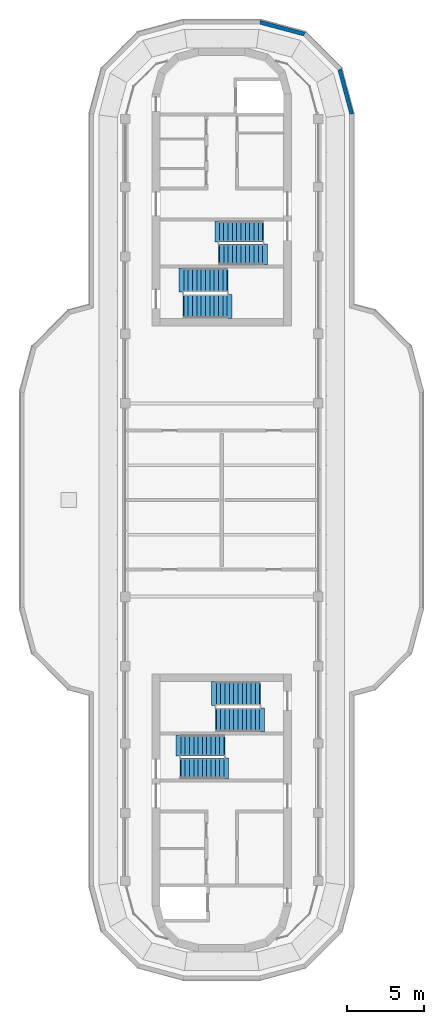
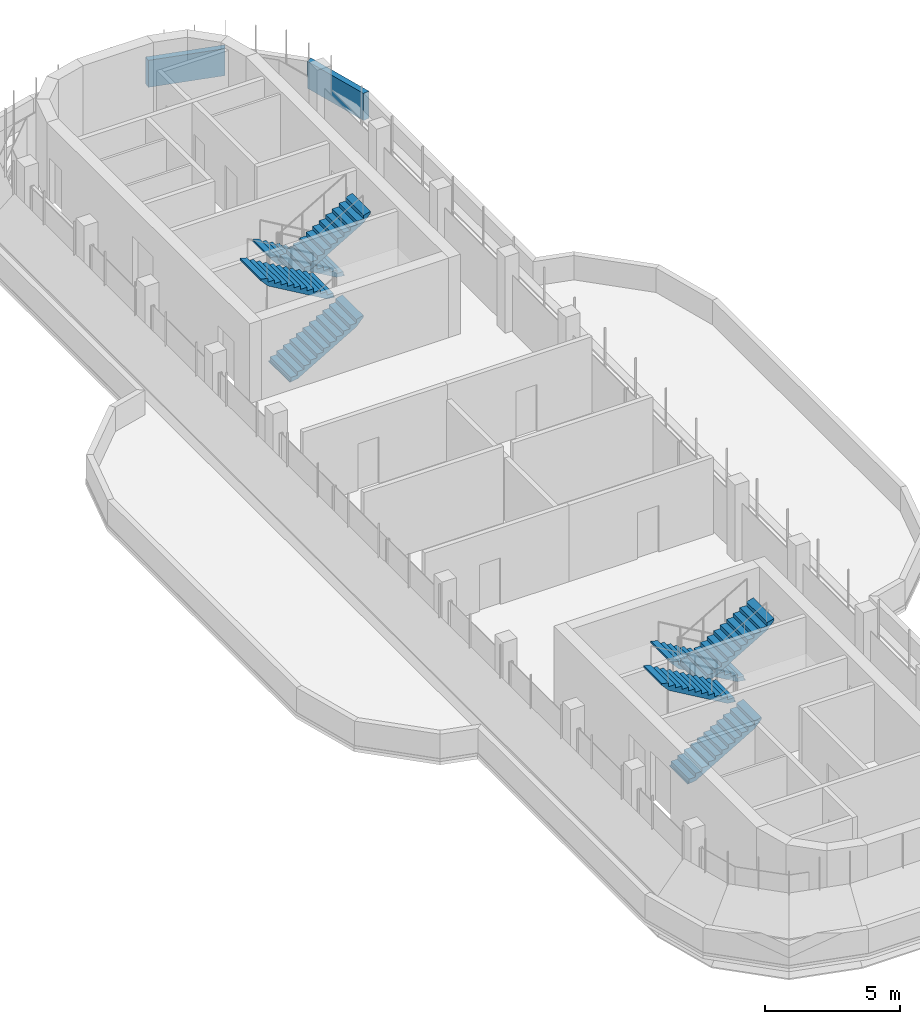
# One storey, part 10 of 12: 8 stair flights, 2 walls, 4 elements without a shape of their own.
"""IFC4 building model written with IfcOpenShell, lengths in metres."""

from ifc_helpers import new_model, si_unit, direction, frame, origin, place, context, subcontext, project, spatial, polyline, outline, extrude, material, layer, layer_set, type_object, element, aggregate, save


model = new_model("IFC4")

# Units and contexts
model_context = context("Model", 3, precision=1e-05, world=origin(), true_north=direction((0.0, 1.0)))
body_context = subcontext(model_context, "Body", "Model", "MODEL_VIEW")
ifc_project = project(units=[si_unit("LENGTHUNIT", "METRE"), si_unit("AREAUNIT", "SQUARE_METRE"), si_unit("VOLUMEUNIT", "CUBIC_METRE"), si_unit("PLANEANGLEUNIT", "RADIAN"), si_unit("MASSUNIT", "GRAM", prefix="KILO")], contexts=[model_context])

# Site, building, storey
site_placement = place(None, origin())
site = spatial("IfcSite", under=ifc_project, at=site_placement, CompositionType="ELEMENT")
building_placement = place(site_placement, origin())
building = spatial("IfcBuilding", under=site, at=building_placement, Name="Zarbagh Exchange Tower", CompositionType="ELEMENT")
storey_placement = place(building_placement, frame((0.0, 0.0, 306.0)))
storey = spatial("IfcBuildingStorey", under=building, at=storey_placement, Name="L75", CompositionType="ELEMENT", Elevation=306.0)

# Walls
ifc_material = material(Name="Concrete C40/50", Category="concrete")
ifc_layer = layer(ifc_material, 0.25)
ifc_layer_set = layer_set([ifc_layer], Name="Parapet wall, concrete C40/50")
wall_type = type_object("IfcWallType", Name="Parapet wall, concrete C40/50", PredefinedType="PARAPET", material=ifc_layer_set)
wall_1_placement = place(storey_placement, origin())
element("IfcWall", 1, at=wall_1_placement, inside=storey, type_object=wall_type, Name="roof parapet", PredefinedType="PARAPET", context=body_context, shape_type="SweptSolid", body=[
    extrude(outline(polyline([(2.484375, 31.030029296875), (5.42138671875, 30.242919921875), (5.2919921875, 30.018798828125), (2.451416015625, 30.780029296875), (2.484375, 31.030029296875)])), origin(), (0.0, 0.0, 1.0), 1.219970703125),
])
wall_2_placement = place(storey_placement, origin())
element("IfcWall", 2, at=wall_2_placement, inside=storey, type_object=wall_type, Name="roof parapet", PredefinedType="PARAPET", context=body_context, shape_type="SweptSolid", body=[
    extrude(outline(polyline([(7.742919921875, 27.92138671875), (8.530029296875, 24.984375), (8.280029296875, 24.951416015625), (7.518798828125, 27.7919921875), (7.742919921875, 27.92138671875)])), origin(), (0.0, 0.0, 1.0), 1.219970703125),
])

# Stair, stair flights
stair_type = type_object("IfcStairType", Name="Exit stair two-flight half-turn", PredefinedType="HALF_TURN_STAIR", material=ifc_material)
stair_1_placement = place(storey_placement, origin())
stair_1 = element("IfcStair", 3, at=stair_1_placement, inside=storey, type_object=stair_type, Name="exit stair ST1", PredefinedType="HALF_TURN_STAIR")
stair_flight_type_1 = type_object("IfcStairFlightType", Name="Stair flight 1350 mm", PredefinedType="STRAIGHT", material=ifc_material)
stair_flight_1_placement = place(storey_placement, frame((2.64990234375, 17.375, 0.0), z_axis=(0.0, 0.0, 1.0), x_axis=(-1.0, 0.0, 0.0)))
stair_flight_1 = element("IfcStairFlight", 4, at=stair_flight_1_placement, type_object=stair_flight_type_1, Name="ST1 flight 1", NumberOfRisers=11, NumberOfTreads=10, PredefinedType="STRAIGHT", RiserHeight=0.163636364, TreadLength=0.28, context=body_context, shape_type="SweptSolid", body=[
    extrude(outline(polyline([(-0.050048828125, -0.050048828125), (-0.050048828125, 0.0), (0.0, 0.0), (0.0, 0.16357421875), (0.280029296875, 0.16357421875), (0.280029296875, 0.327392578125), (0.56005859375, 0.327392578125), (0.56005859375, 0.490966796875), (0.840087890625, 0.490966796875), (0.840087890625, 0.654541015625), (1.1201171875, 0.654541015625), (1.1201171875, 0.818115234375), (1.39990234375, 0.818115234375), (1.39990234375, 0.98193359375), (1.679931640625, 0.98193359375), (1.679931640625, 1.1455078125), (1.9599609375, 1.1455078125), (1.9599609375, 1.30908203125), (2.239990234375, 1.30908203125), (2.239990234375, 1.47265625), (2.52001953125, 1.47265625), (2.52001953125, 1.636474609375), (2.800048828125, 1.636474609375), (2.800048828125, 1.800048828125), (3.10009765625, 1.8798828125), (3.10009765625, 1.800048828125), (2.800048828125, 1.462646484375), (0.297119140625, 0.0), (-0.050048828125, -0.050048828125)])), frame((0.0, 0.675048828125, 0.0), z_axis=(0.0, -1.0, 0.0), x_axis=(1.0, 0.0, 0.0)), (0.0, 0.0, 1.0), 1.35009765625),
])
stair_flight_2_placement = place(storey_placement, frame((-0.14990234375, 15.875, 1.800048828125), z_axis=(0.0, 0.0, 1.0), x_axis=(1.0, 0.0, 0.0)))
stair_flight_2 = element("IfcStairFlight", 5, at=stair_flight_2_placement, type_object=stair_flight_type_1, Name="ST1 flight 2", NumberOfRisers=11, NumberOfTreads=10, PredefinedType="STRAIGHT", RiserHeight=0.163636364, TreadLength=0.28, context=body_context, shape_type="SweptSolid", body=[
    extrude(outline(polyline([(-0.050048828125, -0.050048828125), (-0.050048828125, 0.0), (0.0, 0.0), (0.0, 0.16357421875), (0.280029296875, 0.16357421875), (0.280029296875, 0.327392578125), (0.56005859375, 0.327392578125), (0.56005859375, 0.490966796875), (0.840087890625, 0.490966796875), (0.840087890625, 0.654541015625), (1.1201171875, 0.654541015625), (1.1201171875, 0.818115234375), (1.39990234375, 0.818115234375), (1.39990234375, 0.98193359375), (1.679931640625, 0.98193359375), (1.679931640625, 1.1455078125), (1.9599609375, 1.1455078125), (1.9599609375, 1.30908203125), (2.239990234375, 1.30908203125), (2.239990234375, 1.47265625), (2.52001953125, 1.47265625), (2.52001953125, 1.636474609375), (2.800048828125, 1.636474609375), (2.800048828125, 1.800048828125), (3.10009765625, 1.8798828125), (3.10009765625, 1.800048828125), (2.800048828125, 1.462646484375), (0.297119140625, 0.0), (-0.050048828125, -0.050048828125)])), frame((0.0, 0.675048828125, 0.0), z_axis=(0.0, -1.0, 0.0), x_axis=(1.0, 0.0, 0.0)), (0.0, 0.0, 1.0), 1.35009765625),
])
aggregate(stair_1, [stair_flight_1, stair_flight_2])

stair_2_placement = place(storey_placement, origin())
stair_2 = element("IfcStair", 6, at=stair_2_placement, inside=storey, type_object=stair_type, Name="exit stair ST3", PredefinedType="HALF_TURN_STAIR")
stair_flight_3_placement = place(storey_placement, frame((-2.64990234375, -17.375, 0.0), z_axis=(0.0, 0.0, 1.0), x_axis=(1.0, 0.0, 0.0)))
stair_flight_3 = element("IfcStairFlight", 7, at=stair_flight_3_placement, type_object=stair_flight_type_1, Name="ST3 flight 1", NumberOfRisers=11, NumberOfTreads=10, PredefinedType="STRAIGHT", RiserHeight=0.163636364, TreadLength=0.28, context=body_context, shape_type="SweptSolid", body=[
    extrude(outline(polyline([(-0.050048828125, -0.050048828125), (-0.050048828125, 0.0), (0.0, 0.0), (0.0, 0.16357421875), (0.280029296875, 0.16357421875), (0.280029296875, 0.327392578125), (0.56005859375, 0.327392578125), (0.56005859375, 0.490966796875), (0.840087890625, 0.490966796875), (0.840087890625, 0.654541015625), (1.1201171875, 0.654541015625), (1.1201171875, 0.818115234375), (1.39990234375, 0.818115234375), (1.39990234375, 0.98193359375), (1.679931640625, 0.98193359375), (1.679931640625, 1.1455078125), (1.9599609375, 1.1455078125), (1.9599609375, 1.30908203125), (2.239990234375, 1.30908203125), (2.239990234375, 1.47265625), (2.52001953125, 1.47265625), (2.52001953125, 1.636474609375), (2.800048828125, 1.636474609375), (2.800048828125, 1.800048828125), (3.10009765625, 1.8798828125), (3.10009765625, 1.800048828125), (2.800048828125, 1.462646484375), (0.297119140625, 0.0), (-0.050048828125, -0.050048828125)])), frame((0.0, 0.675048828125, 0.0), z_axis=(0.0, -1.0, 0.0), x_axis=(1.0, 0.0, 0.0)), (0.0, 0.0, 1.0), 1.35009765625),
])
stair_flight_4_placement = place(storey_placement, frame((0.14990234375, -15.875, 1.800048828125), z_axis=(0.0, 0.0, 1.0), x_axis=(-1.0, 0.0, 0.0)))
stair_flight_4 = element("IfcStairFlight", 8, at=stair_flight_4_placement, type_object=stair_flight_type_1, Name="ST3 flight 2", NumberOfRisers=11, NumberOfTreads=10, PredefinedType="STRAIGHT", RiserHeight=0.163636364, TreadLength=0.28, context=body_context, shape_type="SweptSolid", body=[
    extrude(outline(polyline([(-0.050048828125, -0.050048828125), (-0.050048828125, 0.0), (0.0, 0.0), (0.0, 0.16357421875), (0.280029296875, 0.16357421875), (0.280029296875, 0.327392578125), (0.56005859375, 0.327392578125), (0.56005859375, 0.490966796875), (0.840087890625, 0.490966796875), (0.840087890625, 0.654541015625), (1.1201171875, 0.654541015625), (1.1201171875, 0.818115234375), (1.39990234375, 0.818115234375), (1.39990234375, 0.98193359375), (1.679931640625, 0.98193359375), (1.679931640625, 1.1455078125), (1.9599609375, 1.1455078125), (1.9599609375, 1.30908203125), (2.239990234375, 1.30908203125), (2.239990234375, 1.47265625), (2.52001953125, 1.47265625), (2.52001953125, 1.636474609375), (2.800048828125, 1.636474609375), (2.800048828125, 1.800048828125), (3.10009765625, 1.8798828125), (3.10009765625, 1.800048828125), (2.800048828125, 1.462646484375), (0.297119140625, 0.0), (-0.050048828125, -0.050048828125)])), frame((0.0, 0.675048828125, 0.0), z_axis=(0.0, -1.0, 0.0), x_axis=(1.0, 0.0, 0.0)), (0.0, 0.0, 1.0), 1.35009765625),
])
aggregate(stair_2, [stair_flight_3, stair_flight_4])

stair_3_placement = place(storey_placement, origin())
stair_3 = element("IfcStair", 9, at=stair_3_placement, inside=storey, type_object=stair_type, Name="exit stair ST2", PredefinedType="HALF_TURN_STAIR")
stair_flight_type_2 = type_object("IfcStairFlightType", Name="Stair flight 1550 mm", PredefinedType="STRAIGHT", material=ifc_material)
stair_flight_5_placement = place(storey_placement, frame((-2.449951171875, 12.52490234375, 0.0), z_axis=(0.0, 0.0, 1.0), x_axis=(1.0, 0.0, 0.0)))
stair_flight_5 = element("IfcStairFlight", 10, at=stair_flight_5_placement, type_object=stair_flight_type_2, Name="ST2 flight 1", NumberOfRisers=11, NumberOfTreads=10, PredefinedType="STRAIGHT", RiserHeight=0.163636364, TreadLength=0.28, context=body_context, shape_type="SweptSolid", body=[
    extrude(outline(polyline([(-0.050048828125, -0.050048828125), (-0.050048828125, 0.0), (0.0, 0.0), (0.0, 0.16357421875), (0.280029296875, 0.16357421875), (0.280029296875, 0.327392578125), (0.56005859375, 0.327392578125), (0.56005859375, 0.490966796875), (0.840087890625, 0.490966796875), (0.840087890625, 0.654541015625), (1.1201171875, 0.654541015625), (1.1201171875, 0.818115234375), (1.39990234375, 0.818115234375), (1.39990234375, 0.98193359375), (1.679931640625, 0.98193359375), (1.679931640625, 1.1455078125), (1.9599609375, 1.1455078125), (1.9599609375, 1.30908203125), (2.239990234375, 1.30908203125), (2.239990234375, 1.47265625), (2.52001953125, 1.47265625), (2.52001953125, 1.636474609375), (2.800048828125, 1.636474609375), (2.800048828125, 1.800048828125), (3.10009765625, 1.8798828125), (3.10009765625, 1.800048828125), (2.800048828125, 1.462646484375), (0.297119140625, 0.0), (-0.050048828125, -0.050048828125)])), frame((0.0, 0.77490234375, 0.0), z_axis=(0.0, -1.0, 0.0), x_axis=(1.0, 0.0, 0.0)), (0.0, 0.0, 1.0), 1.550048828125),
])
stair_flight_6_placement = place(storey_placement, frame((0.35009765625, 14.22509765625, 1.800048828125), z_axis=(0.0, 0.0, 1.0), x_axis=(-1.0, 0.0, 0.0)))
stair_flight_6 = element("IfcStairFlight", 11, at=stair_flight_6_placement, type_object=stair_flight_type_2, Name="ST2 flight 2", NumberOfRisers=11, NumberOfTreads=10, PredefinedType="STRAIGHT", RiserHeight=0.163636364, TreadLength=0.28, context=body_context, shape_type="SweptSolid", body=[
    extrude(outline(polyline([(-0.050048828125, -0.050048828125), (-0.050048828125, 0.0), (0.0, 0.0), (0.0, 0.16357421875), (0.280029296875, 0.16357421875), (0.280029296875, 0.327392578125), (0.56005859375, 0.327392578125), (0.56005859375, 0.490966796875), (0.840087890625, 0.490966796875), (0.840087890625, 0.654541015625), (1.1201171875, 0.654541015625), (1.1201171875, 0.818115234375), (1.39990234375, 0.818115234375), (1.39990234375, 0.98193359375), (1.679931640625, 0.98193359375), (1.679931640625, 1.1455078125), (1.9599609375, 1.1455078125), (1.9599609375, 1.30908203125), (2.239990234375, 1.30908203125), (2.239990234375, 1.47265625), (2.52001953125, 1.47265625), (2.52001953125, 1.636474609375), (2.800048828125, 1.636474609375), (2.800048828125, 1.800048828125), (3.10009765625, 1.8798828125), (3.10009765625, 1.800048828125), (2.800048828125, 1.462646484375), (0.297119140625, 0.0), (-0.050048828125, -0.050048828125)])), frame((0.0, 0.77490234375, 0.0), z_axis=(0.0, -1.0, 0.0), x_axis=(1.0, 0.0, 0.0)), (0.0, 0.0, 1.0), 1.550048828125),
])
aggregate(stair_3, [stair_flight_5, stair_flight_6])

stair_4_placement = place(storey_placement, origin())
stair_4 = element("IfcStair", 12, at=stair_4_placement, inside=storey, type_object=stair_type, Name="exit stair ST4", PredefinedType="HALF_TURN_STAIR")
stair_flight_7_placement = place(storey_placement, frame((2.449951171875, -12.52490234375, 0.0), z_axis=(0.0, 0.0, 1.0), x_axis=(-1.0, 0.0, 0.0)))
stair_flight_7 = element("IfcStairFlight", 13, at=stair_flight_7_placement, type_object=stair_flight_type_2, Name="ST4 flight 1", NumberOfRisers=11, NumberOfTreads=10, PredefinedType="STRAIGHT", RiserHeight=0.163636364, TreadLength=0.28, context=body_context, shape_type="SweptSolid", body=[
    extrude(outline(polyline([(-0.050048828125, -0.050048828125), (-0.050048828125, 0.0), (0.0, 0.0), (0.0, 0.16357421875), (0.280029296875, 0.16357421875), (0.280029296875, 0.327392578125), (0.56005859375, 0.327392578125), (0.56005859375, 0.490966796875), (0.840087890625, 0.490966796875), (0.840087890625, 0.654541015625), (1.1201171875, 0.654541015625), (1.1201171875, 0.818115234375), (1.39990234375, 0.818115234375), (1.39990234375, 0.98193359375), (1.679931640625, 0.98193359375), (1.679931640625, 1.1455078125), (1.9599609375, 1.1455078125), (1.9599609375, 1.30908203125), (2.239990234375, 1.30908203125), (2.239990234375, 1.47265625), (2.52001953125, 1.47265625), (2.52001953125, 1.636474609375), (2.800048828125, 1.636474609375), (2.800048828125, 1.800048828125), (3.10009765625, 1.8798828125), (3.10009765625, 1.800048828125), (2.800048828125, 1.462646484375), (0.297119140625, 0.0), (-0.050048828125, -0.050048828125)])), frame((0.0, 0.77490234375, 0.0), z_axis=(0.0, -1.0, 0.0), x_axis=(1.0, 0.0, 0.0)), (0.0, 0.0, 1.0), 1.550048828125),
])
stair_flight_8_placement = place(storey_placement, frame((-0.35009765625, -14.22509765625, 1.800048828125), z_axis=(0.0, 0.0, 1.0), x_axis=(1.0, 0.0, 0.0)))
stair_flight_8 = element("IfcStairFlight", 14, at=stair_flight_8_placement, type_object=stair_flight_type_2, Name="ST4 flight 2", NumberOfRisers=11, NumberOfTreads=10, PredefinedType="STRAIGHT", RiserHeight=0.163636364, TreadLength=0.28, context=body_context, shape_type="SweptSolid", body=[
    extrude(outline(polyline([(-0.050048828125, -0.050048828125), (-0.050048828125, 0.0), (0.0, 0.0), (0.0, 0.16357421875), (0.280029296875, 0.16357421875), (0.280029296875, 0.327392578125), (0.56005859375, 0.327392578125), (0.56005859375, 0.490966796875), (0.840087890625, 0.490966796875), (0.840087890625, 0.654541015625), (1.1201171875, 0.654541015625), (1.1201171875, 0.818115234375), (1.39990234375, 0.818115234375), (1.39990234375, 0.98193359375), (1.679931640625, 0.98193359375), (1.679931640625, 1.1455078125), (1.9599609375, 1.1455078125), (1.9599609375, 1.30908203125), (2.239990234375, 1.30908203125), (2.239990234375, 1.47265625), (2.52001953125, 1.47265625), (2.52001953125, 1.636474609375), (2.800048828125, 1.636474609375), (2.800048828125, 1.800048828125), (3.10009765625, 1.8798828125), (3.10009765625, 1.800048828125), (2.800048828125, 1.462646484375), (0.297119140625, 0.0), (-0.050048828125, -0.050048828125)])), frame((0.0, 0.77490234375, 0.0), z_axis=(0.0, -1.0, 0.0), x_axis=(1.0, 0.0, 0.0)), (0.0, 0.0, 1.0), 1.550048828125),
])
aggregate(stair_4, [stair_flight_7, stair_flight_8])

save(model, "model.ifc")
